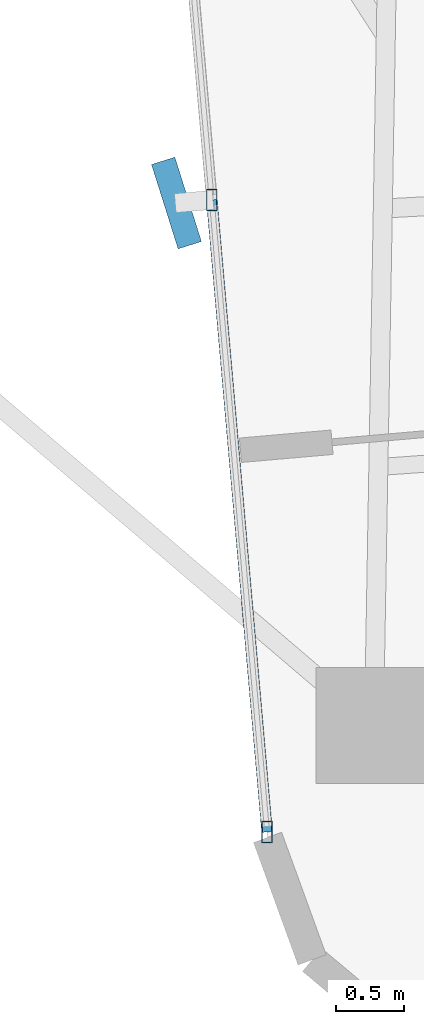
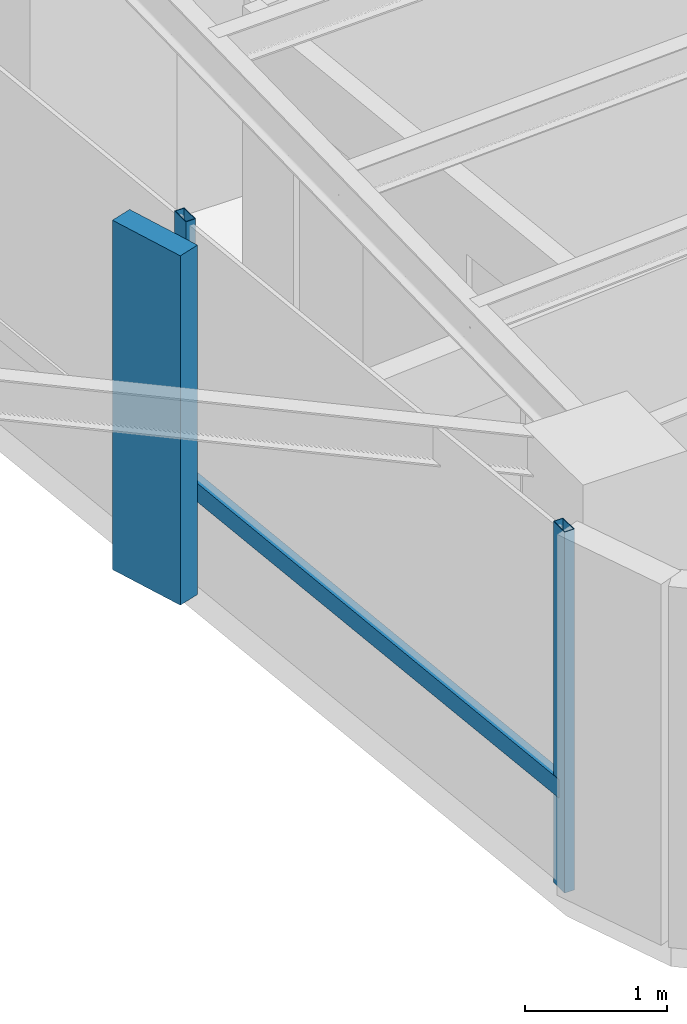
# One storey, part 2 of 24: 4 members, 1 element without a shape of its own.
"""IFC4 building model written with IfcOpenShell, lengths in metres."""

import ifcopenshell
import ifcopenshell.guid

model = None  # the IFC model being written
_history = None  # IfcOwnerHistory: only IFC2X3 demands one
_inside = {}  # id of a spatial element -> (the spatial element, [elements in it])
_under = {}  # id of a project, library or spatial element -> (it, [spatial elements below it])
_declared = {}  # id of a project -> (the project, [libraries it declares])
_typed = {}  # id of a type object -> (the type object, [elements of that type])
_made_of = {}  # id of a material, layer set ... -> (it, [elements and type objects made of it])


def new_model(schema):
    """Start an empty IFC model of exactly this schema.

    Asked for "IFC4X3", IfcOpenShell would pick the latest addendum, in which some entities
    have other attributes; the version numbers below select the first issue.
    IFC2X3 requires an IfcOwnerHistory on every rooted entity: one is made here for all.
    """
    global model, _history
    if schema == "IFC4X3":
        model = ifcopenshell.file(schema_version=(4, 3, 0, 0))
    else:
        model = ifcopenshell.file(schema=schema)
    _inside.clear()
    _under.clear()
    _declared.clear()
    _typed.clear()
    _made_of.clear()
    _history = None
    if model.schema == "IFC2X3":
        org = make("IfcOrganization", Name="unknown")
        user = make(
            "IfcPersonAndOrganization",
            ThePerson=make("IfcPerson", FamilyName="unknown"),
            TheOrganization=org,
        )
        app = make(
            "IfcApplication",
            ApplicationDeveloper=org,
            Version="unknown",
            ApplicationFullName="unknown",
            ApplicationIdentifier="unknown",
        )
        _history = make(
            "IfcOwnerHistory",
            OwningUser=user,
            OwningApplication=app,
            ChangeAction="ADDED",
            CreationDate=0,
        )
    return model


def make(cls, **values):
    """One entity of the class cls with the attributes given. An attribute that is None is left unset."""
    return model.create_entity(
        cls, **{name: value for name, value in values.items() if value is not None}
    )


def rooted(cls, **values):
    """An entity with a GlobalId (a new one), such as an element, a storey or a relation."""
    return make(cls, GlobalId=ifcopenshell.guid.new(), OwnerHistory=_history, **values)


def si_unit(unit_type, name, prefix=None):
    """IfcSIUnit, for example si_unit("LENGTHUNIT", "METRE", prefix="MILLI")."""
    return make("IfcSIUnit", UnitType=unit_type, Prefix=prefix, Name=name)


def assignment(units):
    """IfcUnitAssignment: the units of a project."""
    return None if units is None else make("IfcUnitAssignment", Units=units)


def point(xyz):
    """IfcCartesianPoint."""
    return None if xyz is None else make("IfcCartesianPoint", Coordinates=xyz)


def direction(xyz):
    """IfcDirection."""
    return None if xyz is None else make("IfcDirection", DirectionRatios=xyz)


def frame(location, z_axis=None, x_axis=None):
    """IfcAxis2Placement3D, a coordinate frame: its origin and axes. An axis left out is left unset."""
    return make(
        "IfcAxis2Placement3D",
        Location=point(location),
        Axis=direction(z_axis),
        RefDirection=direction(x_axis),
    )


def frame_2d(location, x_axis=None):
    """IfcAxis2Placement2D, a coordinate frame in the plane: its origin and x axis."""
    return make(
        "IfcAxis2Placement2D", Location=point(location), RefDirection=direction(x_axis)
    )


def origin():
    """The frame at (0, 0, 0) with its axes left unset."""
    return frame((0.0, 0.0, 0.0))


def origin_2d():
    """The frame at (0, 0) in the plane with its x axis left unset."""
    return frame_2d((0.0, 0.0))


def place(relative_to, where):
    """IfcLocalPlacement: puts the frame where relative to a parent placement (None: the world)."""
    return make(
        "IfcLocalPlacement", PlacementRelTo=relative_to, RelativePlacement=where
    )


def context(
    kind, dimensions, precision=None, world=None, true_north=None, identifier=None
):
    """IfcGeometricRepresentationContext, for example the 3D "Model" context."""
    return make(
        "IfcGeometricRepresentationContext",
        ContextIdentifier=identifier,
        ContextType=kind,
        CoordinateSpaceDimension=dimensions,
        Precision=precision,
        WorldCoordinateSystem=world,
        TrueNorth=true_north,
    )


def subcontext(parent, identifier, kind, view, scale=None):
    """IfcGeometricRepresentationSubContext, for example "Body" below "Model"."""
    return make(
        "IfcGeometricRepresentationSubContext",
        ContextIdentifier=identifier,
        ContextType=kind,
        ParentContext=parent,
        TargetScale=scale,
        TargetView=view,
    )


def project(units=None, contexts=None):
    """IfcProject with its units and contexts."""
    return rooted(
        "IfcProject",
        Name="project",
        RepresentationContexts=contexts,
        UnitsInContext=assignment(units),
    )


def spatial(cls, under=None, at=None, **own):
    """A site, building, storey or space (cls), placed at a placement, below another one or the project."""
    s = rooted(cls, ObjectPlacement=at, **own)
    if under is not None:
        _under.setdefault(under.id(), (under, []))[1].append(s)
    return s


def profile(cls, at=None, kind="AREA", **sizes):
    """A parametric profile (cls). Its sizes go by their IFC names, for example OverallWidth=200.0."""
    return make(cls, ProfileType=kind, Position=at, **sizes)


def rectangle(**sizes):
    """IfcRectangleProfileDef."""
    return profile("IfcRectangleProfileDef", **sizes)


def hollow_rectangle(**sizes):
    """IfcRectangleHollowProfileDef."""
    return profile("IfcRectangleHollowProfileDef", **sizes)


def extrude(swept, where, along, depth):
    """IfcExtrudedAreaSolid: the profile swept, set in the frame where, extruded along a direction by depth."""
    return make(
        "IfcExtrudedAreaSolid",
        SweptArea=swept,
        Position=where,
        ExtrudedDirection=direction(along),
        Depth=depth,
    )


def shape(context_of_items, identifier, shape_type, items):
    """IfcShapeRepresentation: the items that make up one representation, for example the "Body"."""
    return make(
        "IfcShapeRepresentation",
        ContextOfItems=context_of_items,
        RepresentationIdentifier=identifier,
        RepresentationType=shape_type,
        Items=items,
    )


def source(mapping_origin, context_of_items, identifier, shape_type, items):
    """IfcRepresentationMap: a shape defined once, which mapped items show again and again."""
    return make(
        "IfcRepresentationMap",
        MappingOrigin=mapping_origin,
        MappedRepresentation=shape(context_of_items, identifier, shape_type, items),
    )


def transform(
    local_origin,
    x_axis=None,
    y_axis=None,
    z_axis=None,
    scale=None,
    scale2=None,
    scale3=None,
    uniform=True,
):
    """IfcCartesianTransformationOperator3D, or its non-uniform kind. x_axis, y_axis, z_axis: its Axis1, 2, 3."""
    if uniform:
        return make(
            "IfcCartesianTransformationOperator3D",
            Axis1=direction(x_axis),
            Axis2=direction(y_axis),
            LocalOrigin=point(local_origin),
            Scale=scale,
            Axis3=direction(z_axis),
        )
    return make(
        "IfcCartesianTransformationOperator3DnonUniform",
        Axis1=direction(x_axis),
        Axis2=direction(y_axis),
        LocalOrigin=point(local_origin),
        Scale=scale,
        Axis3=direction(z_axis),
        Scale2=scale2,
        Scale3=scale3,
    )


def mapped(mapping_source, mapping_target):
    """IfcMappedItem: shows the shape of a source again, moved by a transform."""
    return make(
        "IfcMappedItem", MappingSource=mapping_source, MappingTarget=mapping_target
    )


def material(Name=None, Category=None):
    """IfcMaterial."""
    return make("IfcMaterial", Name=Name, Category=Category)


def material_profile(
    of_material, cross_section, Name=None, Category=None, Priority=None
):
    """IfcMaterialProfile: a cross section and its material."""
    return make(
        "IfcMaterialProfile",
        Name=Name,
        Material=of_material,
        Profile=cross_section,
        Priority=Priority,
        Category=Category,
    )


def profile_set(profiles, Name=None, composite=None):
    """IfcMaterialProfileSet."""
    return make(
        "IfcMaterialProfileSet",
        Name=Name,
        MaterialProfiles=profiles,
        CompositeProfile=composite,
    )


def made_of(thing, what):
    """Note that an element or type object is made of a material, layer set ...; save() writes the relation."""
    if what is not None:
        _made_of.setdefault(what.id(), (what, []))[1].append(thing)
    return thing


def type_object(cls, material=None, **own):
    """A type object (cls), such as IfcWallType, which elements share."""
    return made_of(rooted(cls, **own), material)


def element(
    cls,
    number,
    at=None,
    inside=None,
    cuts=None,
    type_object=None,
    material=None,
    context=None,
    identifier="Body",
    shape_type=None,
    held_by="IfcProductDefinitionShape",
    body=None,
    shapes=None,
    **own,
):
    """One element of the class cls, such as IfcWall. Its Tag is "e" and its number.

    at: its placement. inside: the storey or other place that contains it. cuts: it is an
    opening in that element (IfcRelVoidsElement). A single representation is given by context,
    identifier, shape_type and body (its items); several are given by shapes. held_by: the class
    of the entity that holds the representations. save() writes the other relations.
    """
    e = rooted(cls, Tag="e%d" % number, ObjectPlacement=at, **own)
    if body is not None:
        shapes = [shape(context, identifier, shape_type, body)]
    if shapes is not None:
        e.Representation = make(held_by, Representations=shapes)
    if inside is not None:
        _inside.setdefault(inside.id(), (inside, []))[1].append(e)
    if cuts is not None:
        rooted(
            "IfcRelVoidsElement", RelatingBuildingElement=cuts, RelatedOpeningElement=e
        )
    if type_object is not None:
        _typed.setdefault(type_object.id(), (type_object, []))[1].append(e)
    return made_of(e, material)


def aggregate(whole, parts):
    """IfcRelAggregates: a whole, such as a stair, and the parts it consists of."""
    return rooted("IfcRelAggregates", RelatingObject=whole, RelatedObjects=parts)


def save(model, path):
    """Write the relations noted so far, then the file.

    IfcRelAggregates (storeys below a building ...), IfcRelContainedInSpatialStructure (elements
    in a storey), IfcRelDefinesByType, IfcRelAssociatesMaterial and IfcRelDeclares: one each for
    every whole, place, type object, material and project.
    """
    for whole, parts in _under.values():
        aggregate(whole, parts)
    for where, things in _inside.values():
        rooted(
            "IfcRelContainedInSpatialStructure",
            RelatedElements=things,
            RelatingStructure=where,
        )
    for kind, things in _typed.values():
        rooted("IfcRelDefinesByType", RelatedObjects=things, RelatingType=kind)
    for what, things in _made_of.values():
        rooted("IfcRelAssociatesMaterial", RelatedObjects=things, RelatingMaterial=what)
    for by, libraries in _declared.values():
        rooted("IfcRelDeclares", RelatingContext=by, RelatedDefinitions=libraries)
    model.write(path)


model = new_model("IFC4")

# Units and contexts
model_context = context("Model", 3, precision=1e-05, world=origin(), true_north=direction((0.0, 1.0)))
body_context = subcontext(model_context, "Body", "Model", "MODEL_VIEW")
ifc_project = project(units=[si_unit("LENGTHUNIT", "METRE"), si_unit("AREAUNIT", "SQUARE_METRE"), si_unit("VOLUMEUNIT", "CUBIC_METRE"), si_unit("PLANEANGLEUNIT", "RADIAN"), si_unit("MASSUNIT", "GRAM", prefix="KILO")], contexts=[model_context])

# Site, building, storey
site_placement = place(None, origin())
site = spatial("IfcSite", under=ifc_project, at=site_placement, CompositionType="ELEMENT")
building_placement = place(site_placement, origin())
building = spatial("IfcBuilding", under=site, at=building_placement, Name="Sahyath Konkavel Grand Hotel", CompositionType="ELEMENT")
storey_placement = place(building_placement, frame((0.0, 0.0, 147.25)))
storey = spatial("IfcBuildingStorey", under=building, at=storey_placement, Name="L40", CompositionType="ELEMENT", Elevation=147.25)

# Curtain wall, members
ifc_material_1 = material(Name="Anodised Bronze Aluminium & Low-E Glazing", Category="aluminium")
curtain_wall_type = type_object("IfcCurtainWallType", Name="CW-ZONE3", PredefinedType="NOTDEFINED", material=ifc_material_1)
curtain_wall_placement = place(storey_placement, origin())
curtain_wall = element("IfcCurtainWall", 1, at=curtain_wall_placement, inside=storey, type_object=curtain_wall_type, Name="L40 Unitised Curtain Wall F24", PredefinedType="NOTDEFINED")
ifc_material_2 = material(Name="Warm Buff Sandstone Cladding on Concrete C50/60", Category="masonry")
ifc_material_profile_1 = material_profile(ifc_material_2, rectangle(XDim=0.179931640625, YDim=0.64990234375, at=origin_2d()), Name="FIN 180x650")
ifc_profile_set_1 = profile_set([ifc_material_profile_1], Name="Warm Buff Sandstone Cladding on Concrete C50/60")
member_type_1 = type_object("IfcMemberType", Name="FIN-SANDSTONE-650", PredefinedType="MULLION", material=ifc_profile_set_1)
shared_shape_1 = source(origin(), body_context, "Body", "SweptSolid", [
    extrude(rectangle(XDim=0.179931640625, YDim=0.64990234375, at=origin_2d()), origin(), (0.0, 0.0, 1.0), 3.010009765625),
])
member_1_placement = place(storey_placement, frame((-5.386474609375, -14.273681640625, 0.050048828125), z_axis=(0.0, 0.0, 1.0), x_axis=(0.953716950748, 0.300705799504, 0.0)))
member_1 = element("IfcMember", 2, at=member_1_placement, type_object=member_type_1, Name="L40 Sandstone Vertical Solar Fin FIN F24-1", PredefinedType="MULLION", context=body_context, shape_type="MappedRepresentation", body=[
    mapped(shared_shape_1, transform((0.0, 0.0, 0.0), scale=1.0)),
])
ifc_material_3 = material(Name="Anodised Bronze Aluminium", Category="aluminium")
ifc_material_profile_2 = material_profile(ifc_material_3, hollow_rectangle(XDim=0.080078125, YDim=0.159912109375, WallThickness=0.006103515625, at=origin_2d()), Name="RHS 160x80x6")
ifc_profile_set_2 = profile_set([ifc_material_profile_2], Name="Anodised Bronze Aluminium")
member_type_2 = type_object("IfcMemberType", Name="CW-MUL-160", PredefinedType="MULLION", material=ifc_profile_set_2)
shared_shape_2 = source(origin(), body_context, "Body", "SweptSolid", [
    extrude(hollow_rectangle(XDim=0.080078125, YDim=0.159912109375, WallThickness=0.006103515625, at=origin_2d()), origin(), (0.0, 0.0, 1.0), 3.110107421875),
])
member_2_placement = place(storey_placement, frame((-5.12744140625, -14.251220703125, 0.0), z_axis=(0.0, 0.0, 1.0), x_axis=(1.0, 0.0, 0.0)))
member_2 = element("IfcMember", 3, at=member_2_placement, type_object=member_type_2, Name="L40 Curtain Wall Mullion F24-1", PredefinedType="MULLION", context=body_context, shape_type="MappedRepresentation", body=[
    mapped(shared_shape_2, transform((0.0, 0.0, 0.0), scale=1.0)),
])
member_3_placement = place(storey_placement, frame((-4.72119140625, -18.893310546875, 0.0), z_axis=(0.0, 0.0, 1.0), x_axis=(1.0, 0.0, 0.0)))
member_3 = element("IfcMember", 4, at=member_3_placement, type_object=member_type_2, Name="L40 Curtain Wall Mullion F24-2", PredefinedType="MULLION", context=body_context, shape_type="MappedRepresentation", body=[
    mapped(shared_shape_2, transform((0.0, 0.0, 0.0), scale=1.0)),
])
ifc_material_profile_3 = material_profile(ifc_material_3, hollow_rectangle(XDim=0.080078125, YDim=0.159912109375, WallThickness=0.006103515625, at=origin_2d()), Name="RHS 160x80x6")
ifc_profile_set_3 = profile_set([ifc_material_profile_3], Name="Anodised Bronze Aluminium")
member_type_3 = type_object("IfcMemberType", Name="CW-TRN-160", PredefinedType="USERDEFINED", material=ifc_profile_set_3)
shared_shape_3 = source(origin(), body_context, "Body", "SweptSolid", [
    extrude(hollow_rectangle(XDim=0.080078125, YDim=0.159912109375, WallThickness=0.006103515625, at=origin_2d()), origin(), (0.0, 0.0, 1.0), 4.659912109375),
])
member_4_placement = place(storey_placement, frame((-5.12744140625, -14.251220703125, 0.85009765625), z_axis=(0.087181248758, -0.996192466276, 0.0), x_axis=(0.996192466276, 0.087181248758, 0.0)))
member_4 = element("IfcMember", 5, at=member_4_placement, type_object=member_type_3, Name="L40 Curtain Wall Transom F24-1-spandrel", ObjectType="TRANSOM", PredefinedType="USERDEFINED", context=body_context, shape_type="MappedRepresentation", body=[
    mapped(shared_shape_3, transform((0.0, 0.0, 0.0), scale=1.0)),
])
aggregate(curtain_wall, [member_2, member_1, member_3, member_4])

save(model, "model.ifc")
